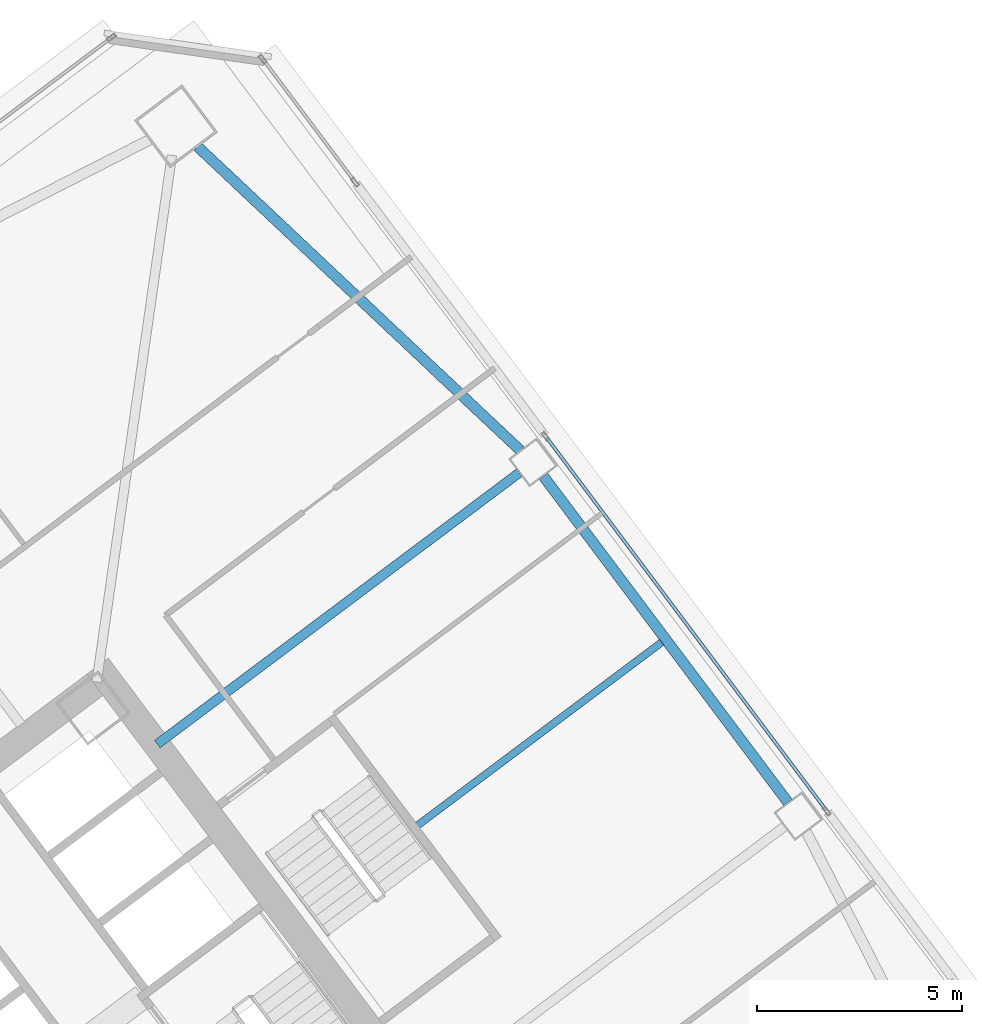
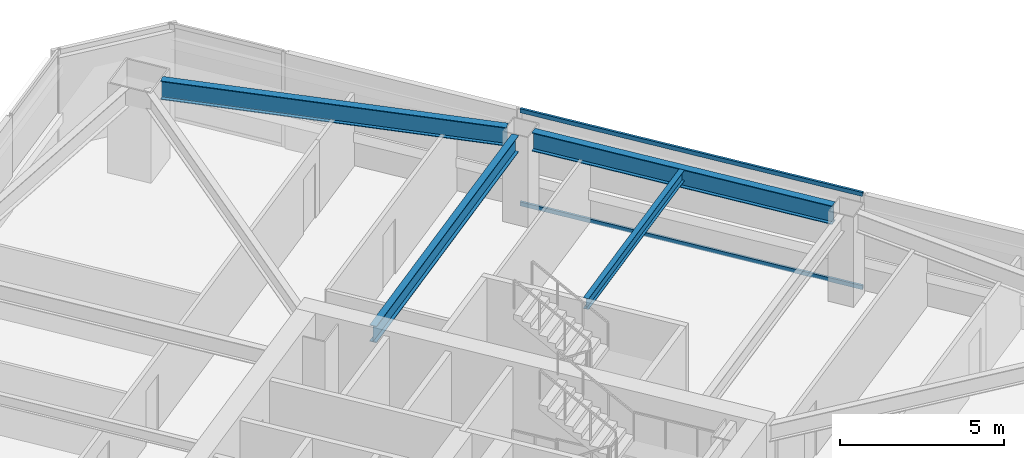
# One storey, part 28 of 44: 4 beams, 2 members, 1 element without a shape of its own.
"""IFC4 building model written with IfcOpenShell, lengths in metres."""

from ifc_helpers import new_model, si_unit, direction, frame, origin, origin_2d, place, context, subcontext, project, spatial, hollow_rectangle, i_section, extrude, material, material_profile, profile_set, type_object, element, aggregate, save


model = new_model("IFC4")

# Units and contexts
model_context = context("Model", 3, precision=1e-05, world=origin(), true_north=direction((0.0, 1.0)))
body_context = subcontext(model_context, "Body", "Model", "MODEL_VIEW")
ifc_project = project(units=[si_unit("LENGTHUNIT", "METRE"), si_unit("AREAUNIT", "SQUARE_METRE"), si_unit("VOLUMEUNIT", "CUBIC_METRE"), si_unit("PLANEANGLEUNIT", "RADIAN"), si_unit("MASSUNIT", "GRAM", prefix="KILO")], contexts=[model_context])

# Site, building, storey
site_placement = place(None, origin())
site = spatial("IfcSite", under=ifc_project, at=site_placement, CompositionType="ELEMENT")
building_placement = place(site_placement, origin())
building = spatial("IfcBuilding", under=site, at=building_placement, Name="Tashvorn Skyway Center", CompositionType="ELEMENT")
storey_placement = place(building_placement, frame((0.0, 0.0, 84.949951171875)))
storey = spatial("IfcBuildingStorey", under=building, at=storey_placement, Name="L22", CompositionType="ELEMENT", Elevation=84.949951171875)

# Beams
ifc_material_1 = material(Name="Steel ASTM A992 Grade 50", Category="steel")
ifc_material_profile_1 = material_profile(ifc_material_1, i_section(OverallWidth=0.22998046875, OverallDepth=0.616943359375, WebThickness=0.01318359375, FlangeThickness=0.022216796875, at=origin_2d()), Name="W24X94")
ifc_profile_set_1 = profile_set([ifc_material_profile_1], Name="Steel ASTM A992 Grade 50")
beam_type_1 = type_object("IfcBeamType", Name="BM-BEAM-W24X94", PredefinedType="BEAM", material=ifc_profile_set_1)
beam_1_placement = place(storey_placement, frame((125.823974609375, 47.617919921875, 3.04150390625), z_axis=(-0.800007953832, -0.599989394744, 0.0), x_axis=(0.599989394744, -0.800007953832, 0.0)))
element("IfcBeam", 1, at=beam_1_placement, inside=storey, type_object=beam_type_1, Name="Tower 2 L22 Primary Floor Girder FC-E2", PredefinedType="BEAM", context=body_context, shape_type="SweptSolid", body=[
    extrude(i_section(OverallWidth=0.22998046875, OverallDepth=0.616943359375, WebThickness=0.01318359375, FlangeThickness=0.022216796875, at=origin_2d()), origin(), (0.0, 0.0, 1.0), 11.050048828125),
])
ifc_material_profile_2 = material_profile(ifc_material_1, i_section(OverallWidth=0.177978515625, OverallDepth=0.406005859375, WebThickness=0.0078125, FlangeThickness=0.0126953125, at=origin_2d()), Name="W16X40")
ifc_profile_set_2 = profile_set([ifc_material_profile_2], Name="Steel ASTM A992 Grade 50")
beam_type_2 = type_object("IfcBeamType", Name="BM-JOIST-W16X40", PredefinedType="JOIST", material=ifc_profile_set_2)
beam_2_placement = place(storey_placement, frame((123.3359375, 39.001953125, 3.14697265625), z_axis=(0.799996072819, 0.600005236206, 0.0), x_axis=(-0.600005236206, 0.799996072819, 0.0)))
element("IfcBeam", 2, at=beam_2_placement, inside=storey, type_object=beam_type_2, Name="Tower 2 L22 Secondary Composite Joist JE", PredefinedType="JOIST", context=body_context, shape_type="SweptSolid", body=[
    extrude(i_section(OverallWidth=0.177978515625, OverallDepth=0.406005859375, WebThickness=0.0078125, FlangeThickness=0.0126953125, at=origin_2d()), origin(), (0.0, 0.0, 1.0), 7.4599609375),
])
ifc_material_profile_3 = material_profile(ifc_material_1, i_section(OverallWidth=0.256103515625, OverallDepth=0.693115234375, WebThickness=0.014404296875, FlangeThickness=0.023681640625, at=origin_2d()), Name="W27X114")
ifc_profile_set_3 = profile_set([ifc_material_profile_3], Name="Steel ASTM A992 Grade 50")
beam_type_3 = type_object("IfcBeamType", Name="BM-SPANDREL-W27X114", PredefinedType="SPANDREL", material=ifc_profile_set_3)
beam_3_placement = place(storey_placement, frame((132.387939453125, 39.56591796875, 3.003662109375), z_axis=(-0.599988234018, 0.800008824351, 0.0), x_axis=(-0.800008824351, -0.599988234018, 0.0)))
element("IfcBeam", 3, at=beam_3_placement, inside=storey, type_object=beam_type_3, Name="Tower 2 L22 Spandrel Beam 05", PredefinedType="SPANDREL", context=body_context, shape_type="SweptSolid", body=[
    extrude(i_section(OverallWidth=0.256103515625, OverallDepth=0.693115234375, WebThickness=0.014404296875, FlangeThickness=0.023681640625, at=origin_2d()), origin(), (0.0, 0.0, 1.0), 9.9599609375),
])
beam_4_placement = place(storey_placement, frame((125.854248046875, 48.157958984375, 3.003662109375), z_axis=(-0.728086883893, 0.685484857238, 0.0), x_axis=(-0.685484857238, -0.728086883893, 0.0)))
element("IfcBeam", 4, at=beam_4_placement, inside=storey, type_object=beam_type_3, Name="Tower 2 L22 Spandrel Beam 06", PredefinedType="SPANDREL", context=body_context, shape_type="SweptSolid", body=[
    extrude(i_section(OverallWidth=0.256103515625, OverallDepth=0.693115234375, WebThickness=0.014404296875, FlangeThickness=0.023681640625, at=origin_2d()), origin(), (0.0, 0.0, 1.0), 10.8369140625),
])

# Curtain wall, members
ifc_material_2 = material(Name="Thermally broken bronze-anodized aluminium 6063-T6", Category="aluminium")
curtain_wall_type = type_object("IfcCurtainWallType", Name="CW-CW-Z2", PredefinedType="NOTDEFINED", material=ifc_material_2)
curtain_wall_placement = place(storey_placement, origin())
curtain_wall = element("IfcCurtainWall", 5, at=curtain_wall_placement, inside=storey, type_object=curtain_wall_type, Name="Tower 2 L22 East Unitised Curtain Wall Glazing Group 2", PredefinedType="NOTDEFINED")
ifc_material_profile_4 = material_profile(ifc_material_2, hollow_rectangle(XDim=0.080078125, YDim=0.14990234375, WallThickness=0.00439453125, at=origin_2d()), Name="ALU-TRAN-80x150")
ifc_profile_set_4 = profile_set([ifc_material_profile_4], Name="Thermally broken bronze-anodized aluminium 6063-T6")
member_type = type_object("IfcMemberType", Name="CWT-CW-Z2", PredefinedType="USERDEFINED", material=ifc_profile_set_4)
member_1_placement = place(storey_placement, frame((126.49609375, 48.471923828125, 0.0400390625), z_axis=(0.6, -0.8, 0.0), x_axis=(0.8, 0.6, 0.0)))
member_1 = element("IfcMember", 6, at=member_1_placement, type_object=member_type, Name="CW-Z2 transom 1.1", ObjectType="TRANSOM", PredefinedType="USERDEFINED", context=body_context, shape_type="SweptSolid", body=[
    extrude(hollow_rectangle(XDim=0.080078125, YDim=0.14990234375, WallThickness=0.00439453125, at=origin_2d()), origin(), (0.0, 0.0, 1.0), 11.35986328125),
])
member_2_placement = place(storey_placement, frame((126.49609375, 48.471923828125, 3.510009765625), z_axis=(0.6, -0.8, 0.0), x_axis=(0.8, 0.6, 0.0)))
member_2 = element("IfcMember", 7, at=member_2_placement, type_object=member_type, Name="CW-Z2 transom 1.2", ObjectType="TRANSOM", PredefinedType="USERDEFINED", context=body_context, shape_type="SweptSolid", body=[
    extrude(hollow_rectangle(XDim=0.080078125, YDim=0.14990234375, WallThickness=0.00439453125, at=origin_2d()), origin(), (0.0, 0.0, 1.0), 11.35986328125),
])
aggregate(curtain_wall, [member_1, member_2])

save(model, "model.ifc")
